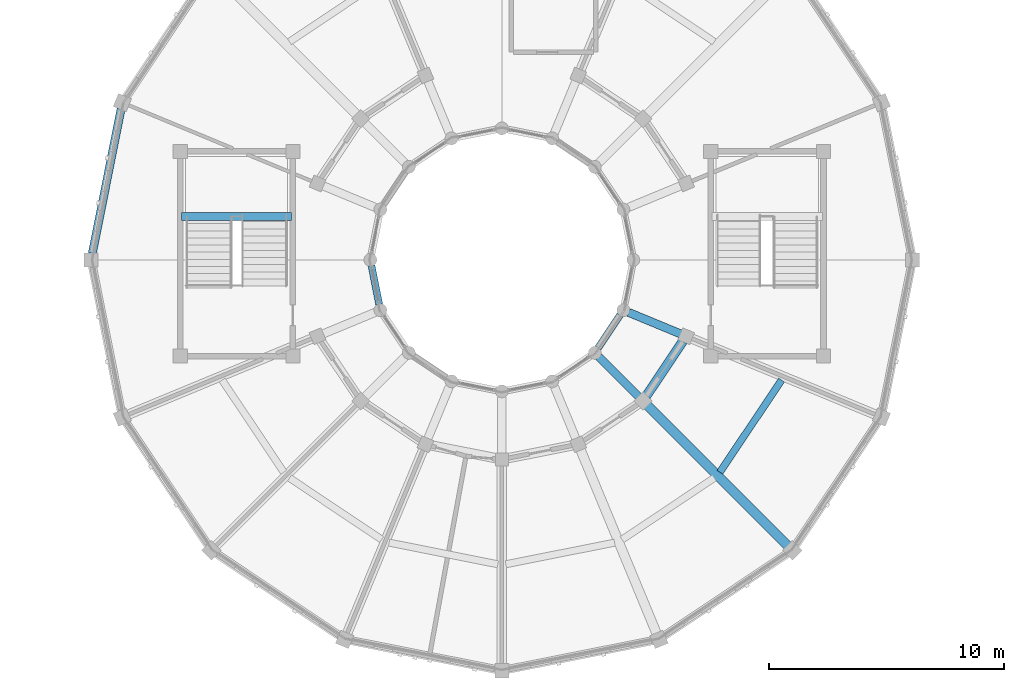
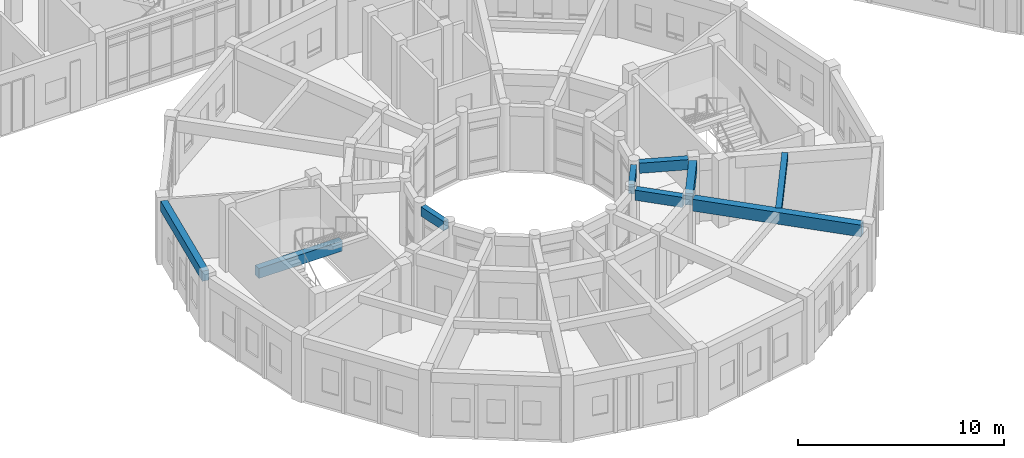
# One storey, part 11 of 112: 9 beams.
"""IFC4 building model written with IfcOpenShell, lengths in metres."""

from ifc_helpers import new_model, si_unit, direction, frame, origin, origin_2d, place, context, subcontext, project, spatial, rectangle, extrude, material, material_profile, profile_set, type_object, element, save


model = new_model("IFC4")

# Units and contexts
model_context = context("Model", 3, precision=1e-05, world=origin(), true_north=direction((0.0, 1.0)))
body_context = subcontext(model_context, "Body", "Model", "MODEL_VIEW")
ifc_project = project(units=[si_unit("LENGTHUNIT", "METRE"), si_unit("AREAUNIT", "SQUARE_METRE"), si_unit("VOLUMEUNIT", "CUBIC_METRE"), si_unit("PLANEANGLEUNIT", "RADIAN"), si_unit("MASSUNIT", "GRAM", prefix="KILO")], contexts=[model_context])

# Site, building, storey
site_placement = place(None, origin())
site = spatial("IfcSite", under=ifc_project, at=site_placement, CompositionType="ELEMENT")
building_placement = place(site_placement, origin())
building = spatial("IfcBuilding", under=site, at=building_placement, Name="Celadon Cloister-Ring School", CompositionType="ELEMENT")
storey_placement = place(building_placement, frame((0.0, 0.0, 8.5)))
storey = spatial("IfcBuildingStorey", under=building, at=storey_placement, Name="L02", CompositionType="ELEMENT", Elevation=8.5)

# Beams
ifc_material_1 = material(Name="Concrete C35/45", Category="concrete")
ifc_material_profile_1 = material_profile(ifc_material_1, rectangle(XDim=0.35009765625, YDim=0.60009765625, at=origin_2d()), Name="RC350X600")
ifc_profile_set_1 = profile_set([ifc_material_profile_1], Name="Concrete C35/45")
beam_type_1 = type_object("IfcBeamType", Name="BT-02", PredefinedType="BEAM", material=ifc_profile_set_1)
beam_1_placement = place(storey_placement, frame((26.032958984375, 14.1669921875, 3.47998046875), z_axis=(-0.707106781187, 0.707106781187, 0.0), x_axis=(-0.707106781187, -0.707106781187, 0.0)))
element("IfcBeam", 1, at=beam_1_placement, inside=storey, type_object=beam_type_1, Name="Beam 1019", PredefinedType="BEAM", context=body_context, shape_type="SweptSolid", body=[
    extrude(rectangle(XDim=0.35009765625, YDim=0.60009765625, at=origin_2d()), origin(), (0.0, 0.0, 1.0), 2.398681640625),
])
beam_2_placement = place(storey_placement, frame((27.822021484375, 16.843017578125, 3.47998046875), z_axis=(-0.923932522988, 0.382555476978, 0.0), x_axis=(-0.382555476978, -0.923932522988, 0.0)))
element("IfcBeam", 2, at=beam_2_placement, inside=storey, type_object=beam_type_1, Name="Beam 1021", PredefinedType="BEAM", context=body_context, shape_type="SweptSolid", body=[
    extrude(rectangle(XDim=0.35009765625, YDim=0.60009765625, at=origin_2d()), origin(), (0.0, 0.0, 1.0), 2.399658203125),
])
beam_3_placement = place(storey_placement, frame((6.550048828125, 21.85009765625, 1.419921875), z_axis=(1.0, 0.0, 0.0), x_axis=(0.0, 1.0, 0.0)))
element("IfcBeam", 3, at=beam_3_placement, inside=storey, type_object=beam_type_1, Name="Stair Landing Beam 1733", PredefinedType="BEAM", context=body_context, shape_type="SweptSolid", body=[
    extrude(rectangle(XDim=0.35009765625, YDim=0.60009765625, at=origin_2d()), origin(), (0.0, 0.0, 1.0), 4.699951171875),
])
ifc_material_2 = material(Name="Concrete C35/45", Category="concrete")
ifc_material_profile_2 = material_profile(ifc_material_2, rectangle(XDim=0.39990234375, YDim=0.699951171875, at=origin_2d()), Name="RC400X700")
ifc_profile_set_2 = profile_set([ifc_material_profile_2], Name="Concrete C35/45")
beam_type_2 = type_object("IfcBeamType", Name="GT-03", PredefinedType="USERDEFINED", material=ifc_profile_set_2)
beam_4_placement = place(storey_placement, frame((32.3798828125, 7.820068359375, 3.429931640625), z_axis=(-0.707106781187, 0.707106781187, 0.0), x_axis=(-0.707106781187, -0.707106781187, 0.0)))
element("IfcBeam", 4, at=beam_4_placement, inside=storey, type_object=beam_type_2, Name="Beam 1018", ObjectType="GIRDER", PredefinedType="USERDEFINED", context=body_context, shape_type="SweptSolid", body=[
    extrude(rectangle(XDim=0.39990234375, YDim=0.699951171875, at=origin_2d()), origin(), (0.0, 0.0, 1.0), 8.475341796875),
])
beam_5_placement = place(storey_placement, frame((26.34912109375, 14.197998046875, 3.429931640625), z_axis=(0.555740149771, 0.831356052442, 0.0), x_axis=(-0.831356052442, 0.555740149771, 0.0)))
element("IfcBeam", 5, at=beam_5_placement, inside=storey, type_object=beam_type_2, Name="Beam 1067", ObjectType="GIRDER", PredefinedType="USERDEFINED", context=body_context, shape_type="SweptSolid", body=[
    extrude(rectangle(XDim=0.39990234375, YDim=0.699951171875, at=origin_2d()), origin(), (0.0, 0.0, 1.0), 2.81591796875),
])
ifc_material_3 = material(Name="Concrete C35/45", Category="concrete")
ifc_material_profile_3 = material_profile(ifc_material_3, rectangle(XDim=0.300048828125, YDim=0.449951171875, at=origin_2d()), Name="RC300X450")
ifc_profile_set_3 = profile_set([ifc_material_profile_3], Name="Concrete C35/45")
beam_type_3 = type_object("IfcBeamType", Name="JT-01", PredefinedType="JOIST", material=ifc_profile_set_3)
beam_6_placement = place(storey_placement, frame((29.489013671875, 10.9541015625, 3.554931640625), z_axis=(0.555797592992, 0.831317650254, 0.0), x_axis=(-0.831317650254, 0.555797592992, 0.0)))
element("IfcBeam", 6, at=beam_6_placement, inside=storey, type_object=beam_type_3, Name="Beam 1069", PredefinedType="JOIST", context=body_context, shape_type="SweptSolid", body=[
    extrude(rectangle(XDim=0.300048828125, YDim=0.449951171875, at=origin_2d()), origin(), (0.0, 0.0, 1.0), 4.72119140625),
])
ifc_material_4 = material(Name="Concrete C35/45", Category="concrete")
ifc_material_profile_4 = material_profile(ifc_material_4, rectangle(XDim=0.35009765625, YDim=0.60009765625, at=origin_2d()), Name="RC350X600")
ifc_profile_set_4 = profile_set([ifc_material_profile_4], Name="Concrete C35/45")
beam_type_4 = type_object("IfcBeamType", Name="SP-01", PredefinedType="SPANDREL", material=ifc_profile_set_4)
beam_7_placement = place(storey_placement, frame((3.97802734375, 26.427001953125, 3.47998046875), z_axis=(-0.195001619501, -0.980802920261, 0.0), x_axis=(0.980802920261, -0.195001619501, 0.0)))
element("IfcBeam", 7, at=beam_7_placement, inside=storey, type_object=beam_type_4, Name="Beam 1042", PredefinedType="SPANDREL", context=body_context, shape_type="SweptSolid", body=[
    extrude(rectangle(XDim=0.35009765625, YDim=0.60009765625, at=origin_2d()), origin(), (0.0, 0.0, 1.0), 6.277587890625),
])
ifc_material_5 = material(Name="Concrete C35/45", Category="concrete")
ifc_material_profile_5 = material_profile(ifc_material_5, rectangle(XDim=0.300048828125, YDim=0.550048828125, at=origin_2d()), Name="RC300X550")
ifc_profile_set_5 = profile_set([ifc_material_profile_5], Name="Concrete C35/45")
beam_type_5 = type_object("IfcBeamType", Name="SP-02", PredefinedType="SPANDREL", material=ifc_profile_set_5)
beam_8_placement = place(storey_placement, frame((14.64892578125, 19.7548828125, 3.5048828125), z_axis=(0.194722830887, -0.980858307367, 0.0), x_axis=(0.980858307367, 0.194722830887, 0.0)))
element("IfcBeam", 8, at=beam_8_placement, inside=storey, type_object=beam_type_5, Name="Beam 1045", PredefinedType="SPANDREL", context=body_context, shape_type="SweptSolid", body=[
    extrude(rectangle(XDim=0.300048828125, YDim=0.550048828125, at=origin_2d()), origin(), (0.0, 0.0, 1.0), 1.68505859375),
])
beam_9_placement = place(storey_placement, frame((24.299072265625, 16.248046875, 3.5048828125), z_axis=(0.555569328961, 0.831470216374, 0.0), x_axis=(-0.831470216374, 0.555569328961, 0.0)))
element("IfcBeam", 9, at=beam_9_placement, inside=storey, type_object=beam_type_5, Name="Beam 1068", PredefinedType="SPANDREL", context=body_context, shape_type="SweptSolid", body=[
    extrude(rectangle(XDim=0.300048828125, YDim=0.550048828125, at=origin_2d()), origin(), (0.0, 0.0, 1.0), 1.684814453125),
])

save(model, "model.ifc")
